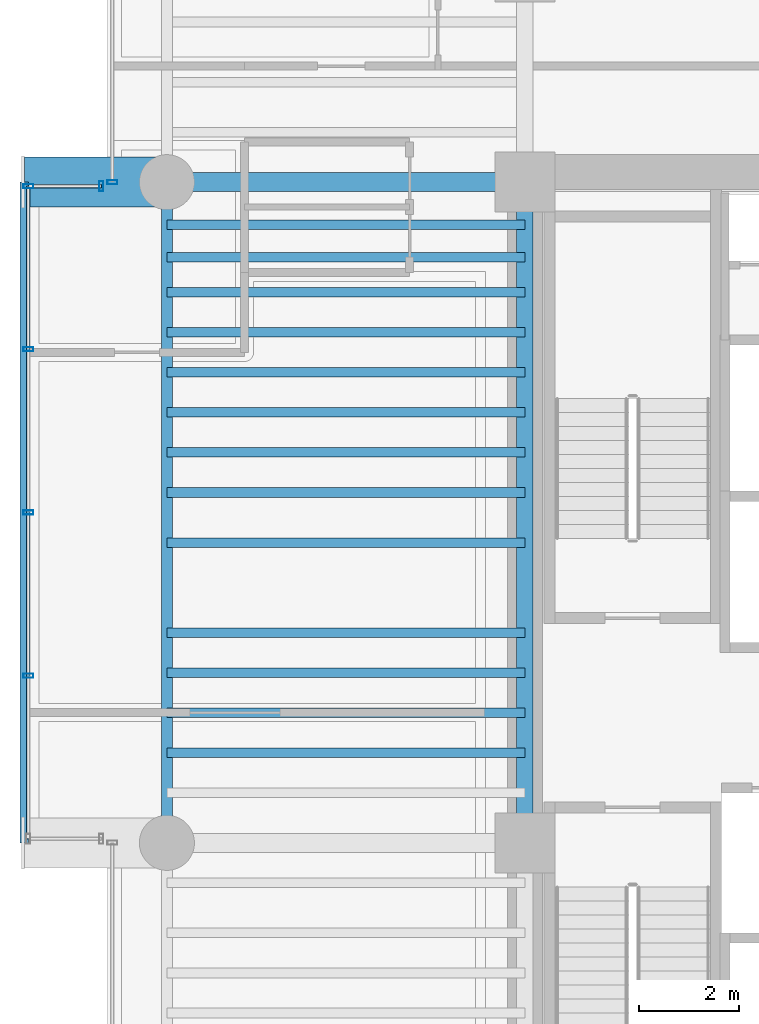
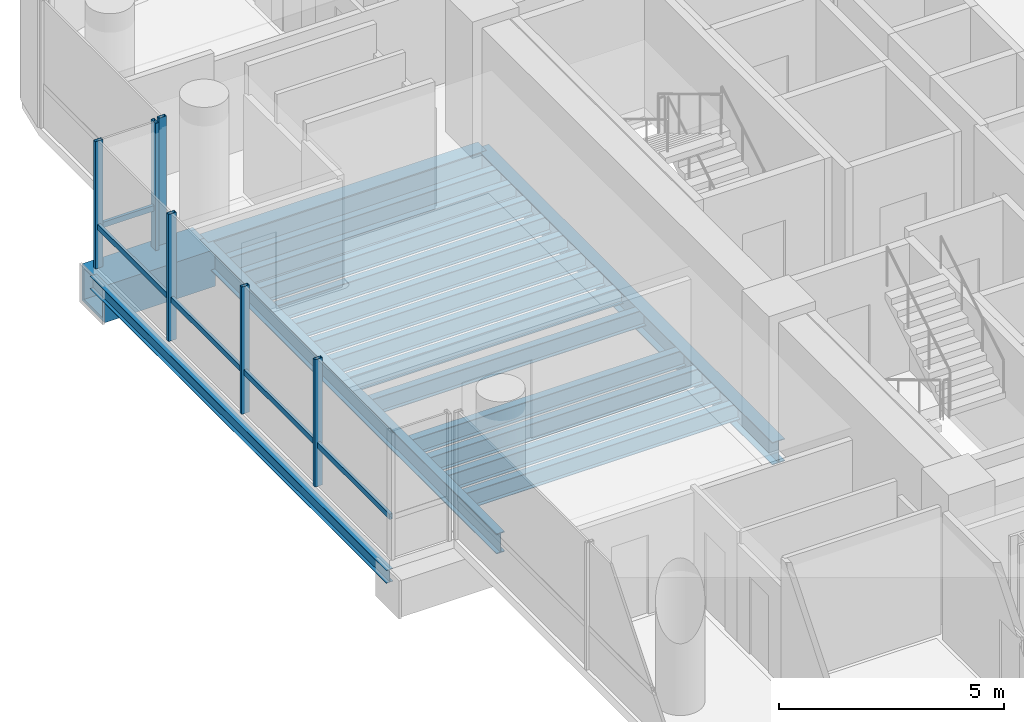
# One storey, part 7 of 35: 18 beams, 8 members, 3 elements without a shape of their own.
"""IFC4 building model written with IfcOpenShell, lengths in metres."""

from ifc_helpers import new_model, si_unit, direction, frame, origin, origin_2d, place, context, subcontext, project, spatial, hollow_rectangle, i_section, extrude, source, transform, mapped, material, material_profile, profile_set, type_object, element, aggregate, save


model = new_model("IFC4")

# Units and contexts
model_context = context("Model", 3, precision=1e-05, world=origin(), true_north=direction((0.0, 1.0)))
body_context = subcontext(model_context, "Body", "Model", "MODEL_VIEW")
ifc_project = project(units=[si_unit("LENGTHUNIT", "METRE"), si_unit("AREAUNIT", "SQUARE_METRE"), si_unit("VOLUMEUNIT", "CUBIC_METRE"), si_unit("PLANEANGLEUNIT", "RADIAN"), si_unit("MASSUNIT", "GRAM", prefix="KILO")], contexts=[model_context])

# Site, building, storey
site_placement = place(None, origin())
site = spatial("IfcSite", under=ifc_project, at=site_placement, CompositionType="ELEMENT")
building_placement = place(site_placement, origin())
building = spatial("IfcBuilding", under=site, at=building_placement, Name="Valdorenza Pilgrim Sanctuary Tower", CompositionType="ELEMENT")
storey_placement = place(building_placement, frame((0.0, 0.0, 105.699951171875)))
storey = spatial("IfcBuildingStorey", under=building, at=storey_placement, Name="L26", CompositionType="ELEMENT", Elevation=105.699951171875)

# Beams
ifc_material_1 = material(Name="Steel ASTM A992 Grade 50", Category="steel")
ifc_material_profile_1 = material_profile(ifc_material_1, i_section(OverallWidth=0.214111328125, OverallDepth=0.549072265625, WebThickness=0.0146484375, FlangeThickness=0.023681640625, at=origin_2d()), Name="W21X93")
ifc_profile_set_1 = profile_set([ifc_material_profile_1], Name="Steel ASTM A992 Grade 50")
beam_type_1 = type_object("IfcBeamType", Name="STR-BM-SPN-W21A", PredefinedType="SPANDREL", material=ifc_profile_set_1)
shared_shape_1 = source(origin(), body_context, "Body", "SweptSolid", [
    extrude(i_section(OverallWidth=0.214111328125, OverallDepth=0.549072265625, WebThickness=0.0146484375, FlangeThickness=0.023681640625, at=origin_2d()), origin(), (0.0, 0.0, 1.0), 13.2001953125),
])
beam_1_placement = place(storey_placement, frame((-29.800048828125, -2.60009765625, -0.514404296875), z_axis=(0.0, 1.0, 0.0), x_axis=(-1.0, 0.0, 0.0)))
element("IfcBeam", 1, at=beam_1_placement, inside=storey, type_object=beam_type_1, Name="L26 Spandrel Beam WA-W-M0N1", PredefinedType="SPANDREL", context=body_context, shape_type="MappedRepresentation", body=[
    mapped(shared_shape_1, transform((0.0, 0.0, 0.0), x_axis=(1.0, 0.0, 0.0), y_axis=(0.0, 1.0, 0.0), z_axis=(0.0, 0.0, 1.0), scale=1.0)),
])
ifc_material_profile_2 = material_profile(ifc_material_1, i_section(OverallWidth=0.323974609375, OverallDepth=0.611083984375, WebThickness=0.0126953125, FlangeThickness=0.01904296875, at=origin_2d()), Name="W24X104")
ifc_profile_set_2 = profile_set([ifc_material_profile_2], Name="Steel ASTM A992 Grade 50")
beam_type_2 = type_object("IfcBeamType", Name="STR-BM-GRD-W24B", PredefinedType="BEAM", material=ifc_profile_set_2)
shared_shape_2 = source(origin(), body_context, "Body", "SweptSolid", [
    extrude(i_section(OverallWidth=0.323974609375, OverallDepth=0.611083984375, WebThickness=0.0126953125, FlangeThickness=0.01904296875, at=origin_2d()), origin(), (0.0, 0.0, 1.0), 13.2001953125),
])
beam_2_placement = place(storey_placement, frame((-22.64990234375, -2.60009765625, -0.54541015625), z_axis=(0.0, 1.0, 0.0), x_axis=(-1.0, 0.0, 0.0)))
element("IfcBeam", 2, at=beam_2_placement, inside=storey, type_object=beam_type_2, Name="L26 Core Tie Girder CA-W-M0N1", PredefinedType="BEAM", context=body_context, shape_type="MappedRepresentation", body=[
    mapped(shared_shape_2, transform((0.0, 0.0, 0.0), x_axis=(1.0, 0.0, 0.0), y_axis=(0.0, 1.0, 0.0), z_axis=(0.0, 0.0, 1.0), scale=1.0)),
])
ifc_material_profile_3 = material_profile(ifc_material_1, i_section(OverallWidth=0.1708984375, OverallDepth=0.35107421875, WebThickness=0.0068359375, FlangeThickness=0.009765625, at=origin_2d()), Name="W14X30")
ifc_profile_set_3 = profile_set([ifc_material_profile_3], Name="Steel ASTM A992 Grade 50")
beam_type_3 = type_object("IfcBeamType", Name="STR-BM-BOX-W14", PredefinedType="BEAM", material=ifc_profile_set_3)
shared_shape_3 = source(origin(), body_context, "Body", "SweptSolid", [
    extrude(i_section(OverallWidth=0.1708984375, OverallDepth=0.35107421875, WebThickness=0.0068359375, FlangeThickness=0.009765625, at=origin_2d()), origin(), (0.0, 0.0, 1.0), 13.2001953125),
])
beam_3_placement = place(storey_placement, frame((-32.64990234375, -2.60009765625, -0.41552734375), z_axis=(0.0, 1.0, 0.0), x_axis=(-1.0, 0.0, 0.0)))
element("IfcBeam", 3, at=beam_3_placement, inside=storey, type_object=beam_type_3, Name="L26 Glass Box Edge Beam BOX-WA-L26-F", PredefinedType="BEAM", context=body_context, shape_type="MappedRepresentation", body=[
    mapped(shared_shape_3, transform((0.0, 0.0, 0.0), x_axis=(1.0, 0.0, 0.0), y_axis=(0.0, 1.0, 0.0), z_axis=(0.0, 0.0, 1.0), scale=1.0)),
])
ifc_material_profile_4 = material_profile(ifc_material_1, i_section(OverallWidth=0.382080078125, OverallDepth=0.779052734375, WebThickness=0.01806640625, FlangeThickness=0.030029296875, at=origin_2d()), Name="W30X191")
ifc_profile_set_4 = profile_set([ifc_material_profile_4], Name="Steel ASTM A992 Grade 50")
beam_type_4 = type_object("IfcBeamType", Name="STR-BM-GRD-W30", PredefinedType="BEAM", material=ifc_profile_set_4)
shared_shape_4 = source(origin(), body_context, "Body", "SweptSolid", [
    extrude(i_section(OverallWidth=0.382080078125, OverallDepth=0.779052734375, WebThickness=0.01806640625, FlangeThickness=0.030029296875, at=origin_2d()), origin(), (0.0, 0.0, 1.0), 7.150146484375),
])
beam_4_placement = place(storey_placement, frame((-29.800048828125, 10.60009765625, -0.62939453125), z_axis=(1.0, 0.0, 0.0), x_axis=(0.0, 1.0, 0.0)))
element("IfcBeam", 4, at=beam_4_placement, inside=storey, type_object=beam_type_4, Name="L26 Floor Girder WA-XW-N1", PredefinedType="BEAM", context=body_context, shape_type="MappedRepresentation", body=[
    mapped(shared_shape_4, transform((0.0, 0.0, 0.0), x_axis=(1.0, 0.0, 0.0), y_axis=(0.0, 1.0, 0.0), z_axis=(0.0, 0.0, 1.0), scale=1.0)),
])
ifc_material_profile_5 = material_profile(ifc_material_1, i_section(OverallWidth=0.19091796875, OverallDepth=0.45703125, WebThickness=0.009033203125, FlangeThickness=0.014404296875, at=origin_2d()), Name="W18X50")
ifc_profile_set_5 = profile_set([ifc_material_profile_5], Name="Steel ASTM A992 Grade 50")
beam_type_5 = type_object("IfcBeamType", Name="STR-BM-JST-W18B", PredefinedType="JOIST", material=ifc_profile_set_5)
shared_shape_5 = source(origin(), body_context, "Body", "SweptSolid", [
    extrude(i_section(OverallWidth=0.19091796875, OverallDepth=0.45703125, WebThickness=0.009033203125, FlangeThickness=0.014404296875, at=origin_2d()), origin(), (0.0, 0.0, 1.0), 7.150146484375),
])
for number, where, z_axis, x_axis, name in (
    (5, (-29.800048828125, -0.800048828125, -0.468505859375), (1.0, 0.0, 0.0), (0.0, 1.0, 0.0), "L26 Composite Floor Joist JST-WA-11"),
    (6, (-29.800048828125, 0.0, -0.468505859375), (1.0, 0.0, 0.0), (0.0, 1.0, 0.0), "L26 Composite Floor Joist JST-WA-12"),
    (7, (-29.800048828125, 0.800048828125, -0.468505859375), (1.0, 0.0, 0.0), (0.0, 1.0, 0.0), "L26 Composite Floor Joist JST-WA-13"),
    (8, (-29.800048828125, 1.60009765625, -0.468505859375), (1.0, 0.0, 0.0), (0.0, 1.0, 0.0), "L26 Composite Floor Joist JST-WA-14"),
    (9, (-29.800048828125, 3.39990234375, -0.468505859375), (1.0, 0.0, 0.0), (0.0, 1.0, 0.0), "L26 Composite Floor Joist JST-WA-15"),
    (10, (-29.800048828125, 4.39990234375, -0.468505859375), (1.0, 0.0, 0.0), (0.0, 1.0, 0.0), "L26 Composite Floor Joist JST-WA-16"),
    (11, (-29.800048828125, 5.199951171875, -0.468505859375), (1.0, 0.0, 0.0), (0.0, 1.0, 0.0), "L26 Composite Floor Joist JST-WA-17"),
    (12, (-29.800048828125, 6.0, -0.468505859375), (1.0, 0.0, 0.0), (0.0, 1.0, 0.0), "L26 Composite Floor Joist JST-WA-18"),
    (13, (-29.800048828125, 6.800048828125, -0.468505859375), (1.0, 0.0, 0.0), (0.0, 1.0, 0.0), "L26 Composite Floor Joist JST-WA-19"),
    (14, (-29.800048828125, 7.60009765625, -0.468505859375), (1.0, 0.0, 0.0), (0.0, 1.0, 0.0), "L26 Composite Floor Joist JST-WA-20"),
    (15, (-29.800048828125, 8.39990234375, -0.468505859375), (1.0, 0.0, 0.0), (0.0, 1.0, 0.0), "L26 Composite Floor Joist JST-WA-21"),
    (16, (-29.800048828125, 9.10009765625, -0.468505859375), (1.0, 0.0, 0.0), (0.0, 1.0, 0.0), "L26 Composite Floor Joist JST-WA-22"),
    (17, (-29.800048828125, 9.75, -0.468505859375), (1.0, 0.0, 0.0), (0.0, 1.0, 0.0), "L26 Composite Floor Joist JST-WA-23"),
):
    element("IfcBeam", number, at=place(storey_placement, frame(where, z_axis=z_axis, x_axis=x_axis)), inside=storey, type_object=beam_type_5, Name=name, PredefinedType="JOIST", context=body_context, shape_type="MappedRepresentation", body=[
        mapped(shared_shape_5, transform((0.0, 0.0, 0.0), x_axis=(1.0, 0.0, 0.0), y_axis=(0.0, 1.0, 0.0), z_axis=(0.0, 0.0, 1.0), scale=1.0)),
    ])
ifc_material_2 = material(Name="Steel ASTM A572 Grade 42", Category="steel")
ifc_material_profile_6 = material_profile(ifc_material_2, hollow_rectangle(XDim=1.0, YDim=1.0, WallThickness=0.080078125, at=origin_2d()), Name="BOX 1000x1000x80")
ifc_profile_set_6 = profile_set([ifc_material_profile_6], Name="Steel ASTM A572 Grade 42")
beam_type_6 = type_object("IfcBeamType", Name="STR-BM-PROW-CANT", PredefinedType="BEAM", material=ifc_profile_set_6)
shared_shape_6 = source(origin(), body_context, "Body", "SweptSolid", [
    extrude(hollow_rectangle(XDim=1.0, YDim=1.0, WallThickness=0.080078125, at=origin_2d()), origin(), (0.0, 0.0, 1.0), 2.849853515625),
])
beam_5_placement = place(storey_placement, frame((-29.800048828125, 10.60009765625, -0.739990234375), z_axis=(-1.0, 0.0, 0.0), x_axis=(0.0, -1.0, 0.0)))
element("IfcBeam", 18, at=beam_5_placement, inside=storey, type_object=beam_type_6, Name="L26 Glass Box Cantilever Beam BOX-WA-L26-CT-N", PredefinedType="BEAM", context=body_context, shape_type="MappedRepresentation", body=[
    mapped(shared_shape_6, transform((0.0, 0.0, 0.0), x_axis=(1.0, 0.0, 0.0), y_axis=(0.0, 1.0, 0.0), z_axis=(0.0, 0.0, 1.0), scale=1.0)),
])

# Curtain wall, member
ifc_material_3 = material(Name="Curtain-wall IGU glazing", Category="glass")
curtain_wall_type = type_object("IfcCurtainWallType", Name="CW-SYS-02", PredefinedType="NOTDEFINED", material=ifc_material_3)
curtain_wall_1_placement = place(storey_placement, origin())
curtain_wall_1 = element("IfcCurtainWall", 19, at=curtain_wall_1_placement, inside=storey, type_object=curtain_wall_type, Name="L26 Curtain Wall CW-L26-1-1S2", PredefinedType="NOTDEFINED")
ifc_material_4 = material(Name="Anodised aluminium AW-6060", Category="aluminium")
ifc_material_profile_7 = material_profile(ifc_material_4, hollow_rectangle(XDim=0.0849609375, YDim=0.199951171875, WallThickness=0.0048828125, at=origin_2d()), Name="ALU-M 200x85x5")
ifc_profile_set_7 = profile_set([ifc_material_profile_7], Name="Anodised aluminium AW-6060")
member_type_1 = type_object("IfcMemberType", Name="CW-MUL-02", PredefinedType="MULLION", material=ifc_profile_set_7)
shared_shape_7 = source(origin(), body_context, "Body", "SweptSolid", [
    extrude(hollow_rectangle(XDim=0.0849609375, YDim=0.199951171875, WallThickness=0.0048828125, at=origin_2d()), origin(), (0.0, 0.0, 1.0), 3.4599609375),
])
member_1_placement = place(storey_placement, frame((-30.889892578125, 10.60009765625, 0.0), z_axis=(0.0, 0.0, 1.0), x_axis=(0.0, 1.0, 0.0)))
member_1 = element("IfcMember", 20, at=member_1_placement, type_object=member_type_1, Name="CW-L26-1-1S2 Mullion 1", PredefinedType="MULLION", context=body_context, shape_type="MappedRepresentation", body=[
    mapped(shared_shape_7, transform((0.0, 0.0, 0.0), x_axis=(1.0, 0.0, 0.0), y_axis=(0.0, 1.0, 0.0), z_axis=(0.0, 0.0, 1.0), scale=1.0)),
])
aggregate(curtain_wall_1, [member_1])

# Curtain wall, members
curtain_wall_2_placement = place(storey_placement, origin())
curtain_wall_2 = element("IfcCurtainWall", 21, at=curtain_wall_2_placement, inside=storey, type_object=curtain_wall_type, Name="L26 Curtain Wall CW-L26-BOX-WA-L26-F", PredefinedType="NOTDEFINED")
member_2_placement = place(storey_placement, frame((-32.570068359375, 0.739990234375, 0.0), z_axis=(0.0, 0.0, 1.0), x_axis=(0.0, 1.0, 0.0)))
member_2 = element("IfcMember", 22, at=member_2_placement, type_object=member_type_1, Name="CW-L26-BOX-WA-L26-F Mullion 2", PredefinedType="MULLION", context=body_context, shape_type="MappedRepresentation", body=[
    mapped(shared_shape_7, transform((0.0, 0.0, 0.0), x_axis=(1.0, 0.0, 0.0), y_axis=(0.0, 1.0, 0.0), z_axis=(0.0, 0.0, 1.0), scale=1.0)),
])
member_3_placement = place(storey_placement, frame((-32.570068359375, 4.0, 0.0), z_axis=(0.0, 0.0, 1.0), x_axis=(0.0, 1.0, 0.0)))
member_3 = element("IfcMember", 23, at=member_3_placement, type_object=member_type_1, Name="CW-L26-BOX-WA-L26-F Mullion 3", PredefinedType="MULLION", context=body_context, shape_type="MappedRepresentation", body=[
    mapped(shared_shape_7, transform((0.0, 0.0, 0.0), x_axis=(1.0, 0.0, 0.0), y_axis=(0.0, 1.0, 0.0), z_axis=(0.0, 0.0, 1.0), scale=1.0)),
])
member_4_placement = place(storey_placement, frame((-32.570068359375, 7.260009765625, 0.0), z_axis=(0.0, 0.0, 1.0), x_axis=(0.0, 1.0, 0.0)))
member_4 = element("IfcMember", 24, at=member_4_placement, type_object=member_type_1, Name="CW-L26-BOX-WA-L26-F Mullion 4", PredefinedType="MULLION", context=body_context, shape_type="MappedRepresentation", body=[
    mapped(shared_shape_7, transform((0.0, 0.0, 0.0), x_axis=(1.0, 0.0, 0.0), y_axis=(0.0, 1.0, 0.0), z_axis=(0.0, 0.0, 1.0), scale=1.0)),
])
member_5_placement = place(storey_placement, frame((-32.570068359375, 10.52001953125, 0.0), z_axis=(0.0, 0.0, 1.0), x_axis=(0.0, 1.0, 0.0)))
member_5 = element("IfcMember", 25, at=member_5_placement, type_object=member_type_1, Name="CW-L26-BOX-WA-L26-F Mullion 5", PredefinedType="MULLION", context=body_context, shape_type="MappedRepresentation", body=[
    mapped(shared_shape_7, transform((0.0, 0.0, 0.0), x_axis=(1.0, 0.0, 0.0), y_axis=(0.0, 1.0, 0.0), z_axis=(0.0, 0.0, 1.0), scale=1.0)),
])

curtain_wall_3_placement = place(storey_placement, origin())
curtain_wall_3 = element("IfcCurtainWall", 26, at=curtain_wall_3_placement, inside=storey, type_object=curtain_wall_type, Name="L26 Curtain Wall CW-L26-BOX-WA-L26-N", PredefinedType="NOTDEFINED")
member_6_placement = place(storey_placement, frame((-31.110107421875, 10.52001953125, 0.0), z_axis=(0.0, 0.0, 1.0), x_axis=(1.0, 0.0, 0.0)))
member_6 = element("IfcMember", 27, at=member_6_placement, type_object=member_type_1, Name="CW-L26-BOX-WA-L26-N Mullion 2", PredefinedType="MULLION", context=body_context, shape_type="MappedRepresentation", body=[
    mapped(shared_shape_7, transform((0.0, 0.0, 0.0), x_axis=(1.0, 0.0, 0.0), y_axis=(0.0, 1.0, 0.0), z_axis=(0.0, 0.0, 1.0), scale=1.0)),
])
ifc_material_profile_8 = material_profile(ifc_material_4, hollow_rectangle(XDim=0.074951171875, YDim=0.14990234375, WallThickness=0.00390625, at=origin_2d()), Name="ALU-T 150x75x4")
ifc_profile_set_8 = profile_set([ifc_material_profile_8], Name="Anodised aluminium AW-6060")
member_type_2 = type_object("IfcMemberType", Name="CW-TRN-02", PredefinedType="USERDEFINED", material=ifc_profile_set_8)
shared_shape_8 = source(origin(), body_context, "Body", "SweptSolid", [
    extrude(hollow_rectangle(XDim=0.074951171875, YDim=0.14990234375, WallThickness=0.00390625, at=origin_2d()), origin(), (0.0, 0.0, 1.0), 1.4599609375),
])
member_7_placement = place(storey_placement, frame((-32.570068359375, 10.52001953125, 1.1201171875), z_axis=(1.0, 0.0, 0.0), x_axis=(0.0, 1.0, 0.0)))
member_7 = element("IfcMember", 28, at=member_7_placement, type_object=member_type_2, Name="CW-L26-BOX-WA-L26-N Transom 1", ObjectType="TRANSOM", PredefinedType="USERDEFINED", context=body_context, shape_type="MappedRepresentation", body=[
    mapped(shared_shape_8, transform((0.0, 0.0, 0.0), x_axis=(1.0, 0.0, 0.0), y_axis=(0.0, 1.0, 0.0), z_axis=(0.0, 0.0, 1.0), scale=1.0)),
])
aggregate(curtain_wall_3, [member_6, member_7])

# Member
shared_shape_9 = source(origin(), body_context, "Body", "SweptSolid", [
    extrude(hollow_rectangle(XDim=0.074951171875, YDim=0.14990234375, WallThickness=0.00390625, at=origin_2d()), origin(), (0.0, 0.0, 1.0), 13.0400390625),
])
member_8_placement = place(storey_placement, frame((-32.570068359375, -2.52001953125, 1.1201171875), z_axis=(0.0, 1.0, 0.0), x_axis=(-1.0, 0.0, 0.0)))
member_8 = element("IfcMember", 29, at=member_8_placement, type_object=member_type_2, Name="CW-L26-BOX-WA-L26-F Transom 1", ObjectType="TRANSOM", PredefinedType="USERDEFINED", context=body_context, shape_type="MappedRepresentation", body=[
    mapped(shared_shape_9, transform((0.0, 0.0, 0.0), x_axis=(1.0, 0.0, 0.0), y_axis=(0.0, 1.0, 0.0), z_axis=(0.0, 0.0, 1.0), scale=1.0)),
])

aggregate(curtain_wall_2, [member_2, member_3, member_4, member_5, member_8])

save(model, "model.ifc")
